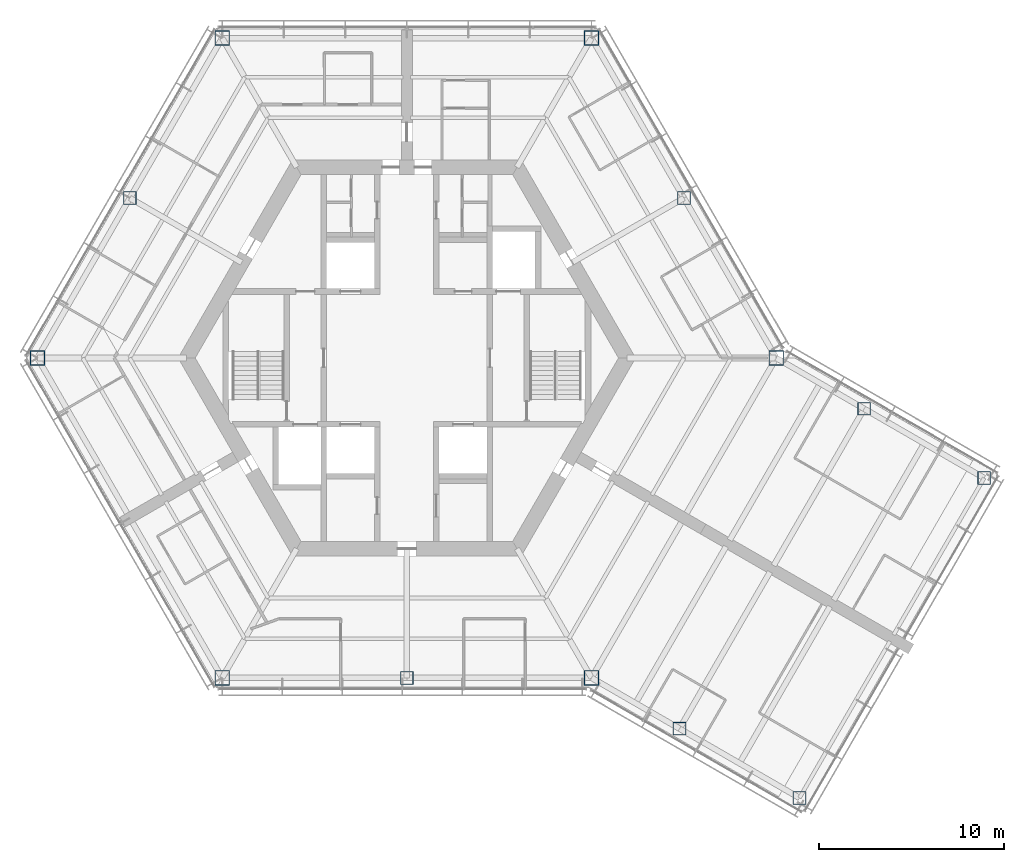
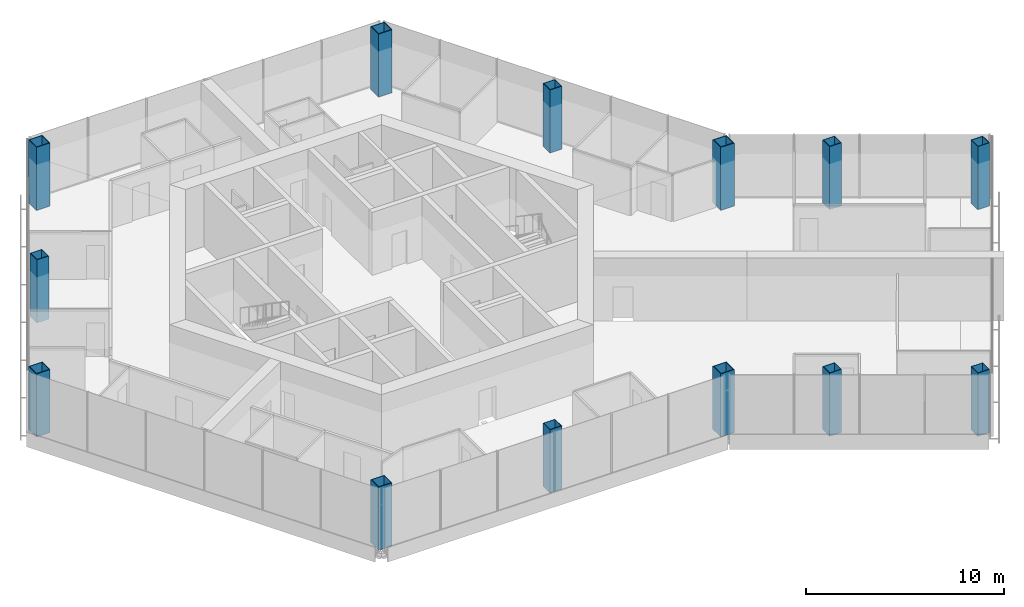
# One storey, part 1 of 16: 13 columns.
"""IFC4 building model written with IfcOpenShell, lengths in metres."""

from ifc_helpers import new_model, si_unit, direction, frame, origin, origin_2d, place, context, subcontext, project, spatial, hollow_rectangle, extrude, material, material_profile, profile_set, type_object, element, save


model = new_model("IFC4")

# Units and contexts
model_context = context("Model", 3, precision=1e-05, world=origin(), true_north=direction((0.0, 1.0)))
body_context = subcontext(model_context, "Body", "Model", "MODEL_VIEW")
ifc_project = project(units=[si_unit("LENGTHUNIT", "METRE"), si_unit("AREAUNIT", "SQUARE_METRE"), si_unit("VOLUMEUNIT", "CUBIC_METRE"), si_unit("PLANEANGLEUNIT", "RADIAN"), si_unit("MASSUNIT", "GRAM", prefix="KILO")], contexts=[model_context])

# Site, building, storey
site_placement = place(None, origin())
site = spatial("IfcSite", under=ifc_project, at=site_placement, CompositionType="ELEMENT")
building_placement = place(site_placement, origin())
building = spatial("IfcBuilding", under=site, at=building_placement, Name="Kasaneha Research Tower", CompositionType="ELEMENT")
storey_placement = place(building_placement, frame((0.0, 0.0, 251.800048828125)))
storey = spatial("IfcBuildingStorey", under=building, at=storey_placement, Name="L63", CompositionType="ELEMENT", Elevation=251.800048828125)

# Columns
ifc_material_1 = material(Name="Steel SN490C", Category="steel")
ifc_material_profile_1 = material_profile(ifc_material_1, hollow_rectangle(XDim=0.800048828125, YDim=0.800048828125, WallThickness=0.0400390625, at=origin_2d()), Name="BOX-800x800x40")
ifc_profile_set_1 = profile_set([ifc_material_profile_1], Name="Steel SN490C")
column_type_1 = type_object("IfcColumnType", Name="C4A column BOX-800x800x40", PredefinedType="COLUMN", material=ifc_profile_set_1)
for number, where, z_axis, x_axis, name in (
    (1, (20.0, 0.0, 0.0), (0.0, 0.0, 1.0), (1.0, 0.0, 0.0), "Column V0 L63"),
    (2, (10.0, 17.320556640625, 0.0), (0.0, 0.0, 1.0), (1.0, 0.0, 0.0), "Column V1 L63"),
    (3, (-10.0, 17.320556640625, 0.0), (0.0, 0.0, 1.0), (1.0, 0.0, 0.0), "Column V2 L63"),
    (4, (-20.0, 0.0, 0.0), (0.0, 0.0, 1.0), (1.0, 0.0, 0.0), "Column V3 L63"),
    (5, (-10.0, -17.320556640625, 0.0), (0.0, 0.0, 1.0), (1.0, 0.0, 0.0), "Column V4 L63"),
    (6, (10.0, -17.320556640625, 0.0), (0.0, 0.0, 1.0), (1.0, 0.0, 0.0), "Column V5 L63"),
):
    element("IfcColumn", number, at=place(storey_placement, frame(where, z_axis=z_axis, x_axis=x_axis)), inside=storey, type_object=column_type_1, Name=name, PredefinedType="COLUMN", context=body_context, shape_type="SweptSolid", body=[
        extrude(hollow_rectangle(XDim=0.800048828125, YDim=0.800048828125, WallThickness=0.0400390625, at=origin_2d()), origin(), (0.0, 0.0, 1.0), 3.89990234375),
    ])
ifc_material_2 = material(Name="Steel SN490C", Category="steel")
ifc_material_profile_2 = material_profile(ifc_material_2, hollow_rectangle(XDim=0.699951171875, YDim=0.699951171875, WallThickness=0.031982421875, at=origin_2d()), Name="BOX-700x700x32")
ifc_profile_set_2 = profile_set([ifc_material_profile_2], Name="Steel SN490C")
column_type_2 = type_object("IfcColumnType", Name="C4B column BOX-700x700x32", PredefinedType="COLUMN", material=ifc_profile_set_2)
for number, where, z_axis, x_axis, name in (
    (7, (15.0, 8.66015625, 0.0), (0.0, 0.0, 1.0), (1.0, 0.0, 0.0), "Column M030 L63"),
    (8, (-15.0, 8.66015625, 0.0), (0.0, 0.0, 1.0), (1.0, 0.0, 0.0), "Column M150 L63"),
    (9, (0.0, -17.320556640625, 0.0), (0.0, 0.0, 1.0), (1.0, 0.0, 0.0), "Column M270 L63"),
    (10, (14.76318359375, -20.070556640625, 0.0), (0.0, 0.0, 1.0), (1.0, 0.0, 0.0), "Column CSP L63"),
    (11, (21.25830078125, -23.820556640625, 0.0), (0.0, 0.0, 1.0), (1.0, 0.0, 0.0), "Column CTP L63"),
    (12, (24.76318359375, -2.75, 0.0), (0.0, 0.0, 1.0), (1.0, 0.0, 0.0), "Column CSN L63"),
    (13, (31.25830078125, -6.5, 0.0), (0.0, 0.0, 1.0), (1.0, 0.0, 0.0), "Column CTN L63"),
):
    element("IfcColumn", number, at=place(storey_placement, frame(where, z_axis=z_axis, x_axis=x_axis)), inside=storey, type_object=column_type_2, Name=name, PredefinedType="COLUMN", context=body_context, shape_type="SweptSolid", body=[
        extrude(hollow_rectangle(XDim=0.699951171875, YDim=0.699951171875, WallThickness=0.031982421875, at=origin_2d()), origin(), (0.0, 0.0, 1.0), 3.89990234375),
    ])

save(model, "model.ifc")
